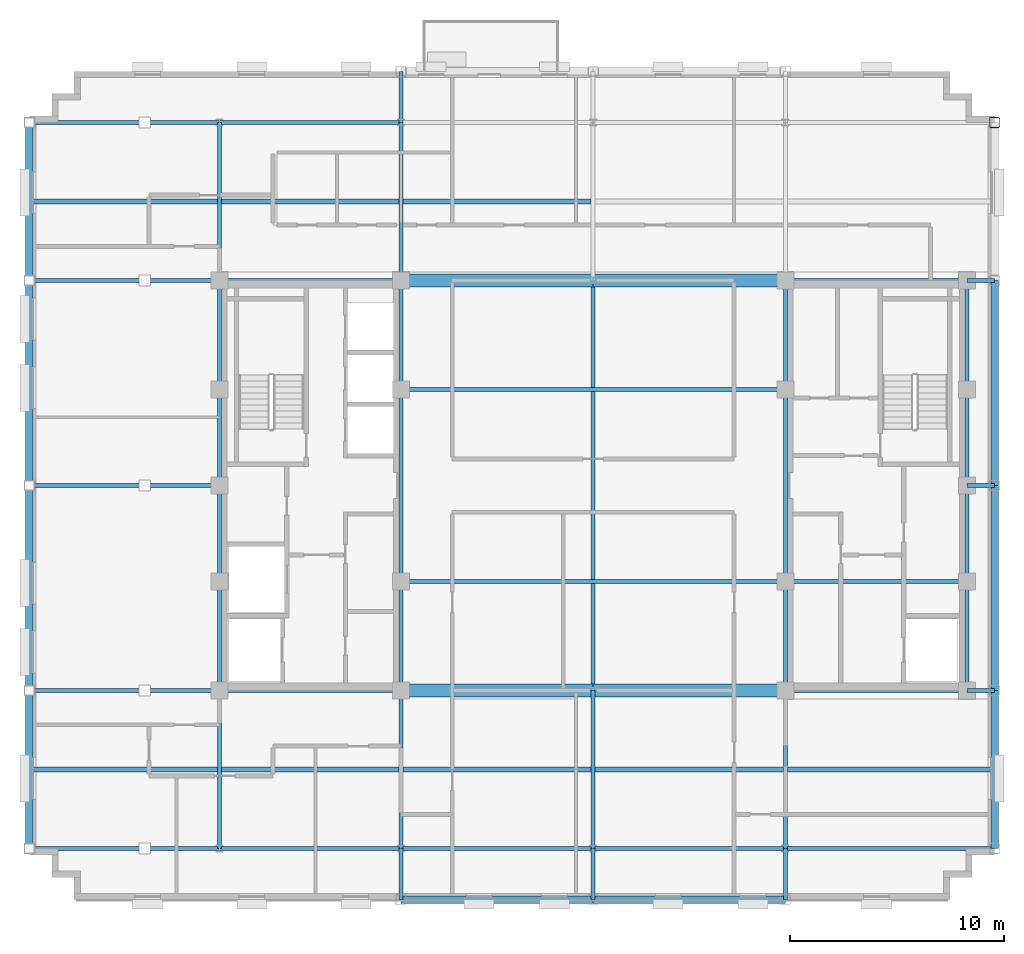
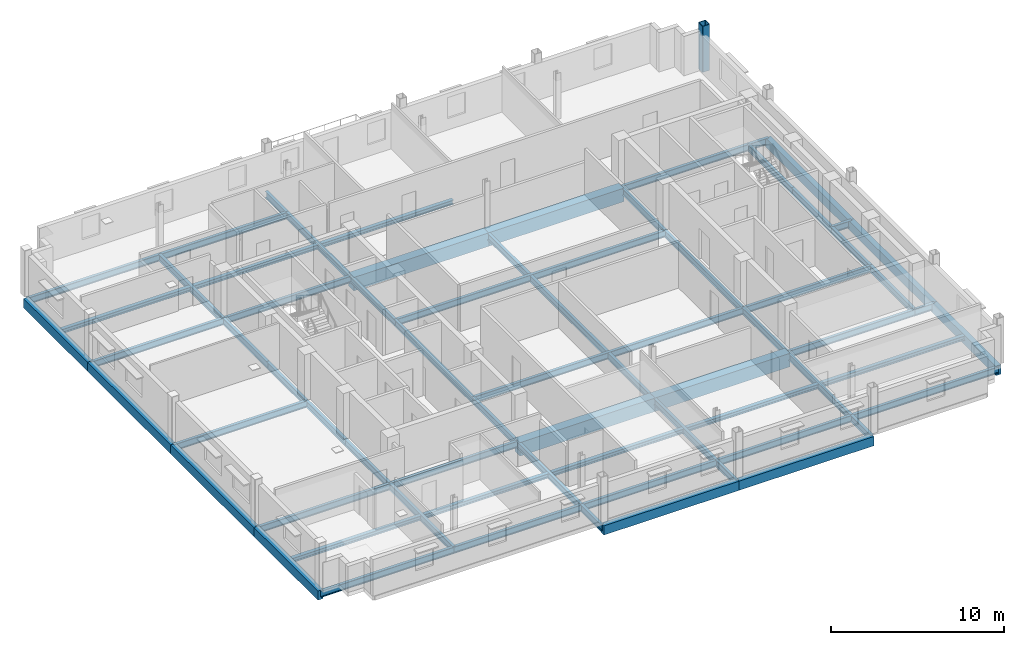
# One storey, part 4 of 14: 66 beams, 1 column.
"""IFC4 building model written with IfcOpenShell, lengths in metres."""

from ifc_helpers import new_model, si_unit, direction, frame, origin, origin_2d, place, context, subcontext, project, spatial, rectangle, hollow_rectangle, i_section, extrude, material, material_profile, profile_set, type_object, element, save


model = new_model("IFC4")

# Units and contexts
model_context = context("Model", 3, precision=1e-05, world=origin(), true_north=direction((0.0, 1.0)))
body_context = subcontext(model_context, "Body", "Model", "MODEL_VIEW")
ifc_project = project(units=[si_unit("LENGTHUNIT", "METRE"), si_unit("AREAUNIT", "SQUARE_METRE"), si_unit("VOLUMEUNIT", "CUBIC_METRE"), si_unit("PLANEANGLEUNIT", "RADIAN"), si_unit("MASSUNIT", "GRAM", prefix="KILO")], contexts=[model_context])

# Site, building, storey
site_placement = place(None, origin())
site = spatial("IfcSite", under=ifc_project, at=site_placement, CompositionType="ELEMENT")
building_placement = place(site_placement, origin())
building = spatial("IfcBuilding", under=site, at=building_placement, Name="Nuvemarco Arch Tower", CompositionType="ELEMENT")
storey_placement = place(building_placement, frame((0.0, 0.0, 242.0)))
storey = spatial("IfcBuildingStorey", under=building, at=storey_placement, Name="L64", CompositionType="ELEMENT", Elevation=242.0)

# Column
ifc_material_1 = material(Name="Steel S355", Category="steel")
ifc_material_profile_1 = material_profile(ifc_material_1, hollow_rectangle(XDim=0.5, YDim=0.5, WallThickness=0.031982421875, InnerFilletRadius=0.031982421875, OuterFilletRadius=0.06396484375, at=origin_2d()), Name="SHS500x500x32")
ifc_profile_set_1 = profile_set([ifc_material_profile_1], Name="Steel S355")
column_type = type_object("IfcColumnType", Name="COL-EXO-500", PredefinedType="COLUMN", material=ifc_profile_set_1)
column_placement = place(storey_placement, frame((18.800048828125, 17.0, 0.0), z_axis=(0.0, 0.0, 1.0), x_axis=(1.0, 0.0, 0.0)))
element("IfcColumn", 1, at=column_placement, inside=storey, type_object=column_type, Name="L64 column CX_+18.8_+17.0", PredefinedType="COLUMN", context=body_context, shape_type="SweptSolid", body=[
    extrude(hollow_rectangle(XDim=0.5, YDim=0.5, WallThickness=0.031982421875, InnerFilletRadius=0.031982421875, OuterFilletRadius=0.06396484375, at=origin_2d()), origin(), (0.0, 0.0, 1.0), 3.25),
])

# Beams
ifc_material_2 = material(Name="Concrete C60/75", Category="concrete")
ifc_material_profile_2 = material_profile(ifc_material_2, rectangle(XDim=0.60009765625, YDim=0.949951171875, at=origin_2d()), Name="RC-BM-600x950")
ifc_profile_set_2 = profile_set([ifc_material_profile_2], Name="Concrete C60/75")
beam_type_1 = type_object("IfcBeamType", Name="BM-COUP-RC", PredefinedType="LINTEL", material=ifc_profile_set_2)
for number, where, z_axis, x_axis, name in (
    (2, (-9.0, -9.60009765625, -0.7548828125), (1.0, 0.0, 0.0), (0.0, 1.0, 0.0), "L64 structural beam BGEW_L64_0_-9.6_-9.0"),
    (3, (0.0, -9.60009765625, -0.7548828125), (1.0, 0.0, 0.0), (0.0, 1.0, 0.0), "L64 structural beam BGEW_L64_0_-9.6_+0.0"),
    (4, (-9.0, 9.60009765625, -0.7548828125), (1.0, 0.0, 0.0), (0.0, 1.0, 0.0), "L64 structural beam BGEW_L64_0_+9.6_-9.0"),
    (5, (0.0, 9.60009765625, -0.7548828125), (1.0, 0.0, 0.0), (0.0, 1.0, 0.0), "L64 structural beam BGEW_L64_0_+9.6_+0.0"),
):
    element("IfcBeam", number, at=place(storey_placement, frame(where, z_axis=z_axis, x_axis=x_axis)), inside=storey, type_object=beam_type_1, Name=name, PredefinedType="LINTEL", context=body_context, shape_type="SweptSolid", body=[
        extrude(rectangle(XDim=0.60009765625, YDim=0.949951171875, at=origin_2d()), origin(), (0.0, 0.0, 1.0), 9.0),
    ])
ifc_material_profile_3 = material_profile(ifc_material_1, i_section(OverallWidth=0.19189453125, OverallDepth=0.462890625, WebThickness=0.010498046875, FlangeThickness=0.017578125, FilletRadius=0.014892578125, at=origin_2d()), Name="W460x89")
ifc_profile_set_3 = profile_set([ifc_material_profile_3], Name="Steel S355")
beam_type_2 = type_object("IfcBeamType", Name="BM-GIRD-460", PredefinedType="BEAM", material=ifc_profile_set_3)
beam_1_placement = place(storey_placement, frame((-17.5, -17.0, -0.511474609375), z_axis=(0.0, 1.0, 0.0), x_axis=(-1.0, 0.0, 0.0)))
element("IfcBeam", 6, at=beam_1_placement, inside=storey, type_object=beam_type_2, Name="L64 structural beam BGNS_L64_0_-17.5_-17.0", PredefinedType="BEAM", context=body_context, shape_type="SweptSolid", body=[
    extrude(i_section(OverallWidth=0.19189453125, OverallDepth=0.462890625, WebThickness=0.010498046875, FlangeThickness=0.017578125, FilletRadius=0.014892578125, at=origin_2d()), origin(), (0.0, 0.0, 1.0), 7.39990234375),
])
beam_2_placement = place(storey_placement, frame((-17.5, -9.60009765625, -0.511474609375), z_axis=(0.0, 1.0, 0.0), x_axis=(-1.0, 0.0, 0.0)))
element("IfcBeam", 7, at=beam_2_placement, inside=storey, type_object=beam_type_2, Name="L64 structural beam BGNS_L64_0_-17.5_-9.6", PredefinedType="BEAM", context=body_context, shape_type="SweptSolid", body=[
    extrude(i_section(OverallWidth=0.19189453125, OverallDepth=0.462890625, WebThickness=0.010498046875, FlangeThickness=0.017578125, FilletRadius=0.014892578125, at=origin_2d()), origin(), (0.0, 0.0, 1.0), 5.10009765625),
])
for number, where, z_axis, x_axis, name in (
    (8, (-17.5, -4.5, -0.511474609375), (0.0, 1.0, 0.0), (-1.0, 0.0, 0.0), "L64 structural beam BGNS_L64_0_-17.5_-4.5"),
    (9, (-17.5, 0.0, -0.511474609375), (0.0, 1.0, 0.0), (-1.0, 0.0, 0.0), "L64 structural beam BGNS_L64_0_-17.5_+0.0"),
):
    element("IfcBeam", number, at=place(storey_placement, frame(where, z_axis=z_axis, x_axis=x_axis)), inside=storey, type_object=beam_type_2, Name=name, PredefinedType="BEAM", context=body_context, shape_type="SweptSolid", body=[
        extrude(i_section(OverallWidth=0.19189453125, OverallDepth=0.462890625, WebThickness=0.010498046875, FlangeThickness=0.017578125, FilletRadius=0.014892578125, at=origin_2d()), origin(), (0.0, 0.0, 1.0), 4.5),
    ])
beam_3_placement = place(storey_placement, frame((-17.5, 4.5, -0.511474609375), z_axis=(0.0, 1.0, 0.0), x_axis=(-1.0, 0.0, 0.0)))
element("IfcBeam", 10, at=beam_3_placement, inside=storey, type_object=beam_type_2, Name="L64 structural beam BGNS_L64_0_-17.5_+4.5", PredefinedType="BEAM", context=body_context, shape_type="SweptSolid", body=[
    extrude(i_section(OverallWidth=0.19189453125, OverallDepth=0.462890625, WebThickness=0.010498046875, FlangeThickness=0.017578125, FilletRadius=0.014892578125, at=origin_2d()), origin(), (0.0, 0.0, 1.0), 5.10009765625),
])
beam_4_placement = place(storey_placement, frame((-17.5, 9.60009765625, -0.511474609375), z_axis=(0.0, 1.0, 0.0), x_axis=(-1.0, 0.0, 0.0)))
element("IfcBeam", 11, at=beam_4_placement, inside=storey, type_object=beam_type_2, Name="L64 structural beam BGNS_L64_0_-17.5_+9.6", PredefinedType="BEAM", context=body_context, shape_type="SweptSolid", body=[
    extrude(i_section(OverallWidth=0.19189453125, OverallDepth=0.462890625, WebThickness=0.010498046875, FlangeThickness=0.017578125, FilletRadius=0.014892578125, at=origin_2d()), origin(), (0.0, 0.0, 1.0), 7.39990234375),
])
beam_5_placement = place(storey_placement, frame((-9.0, -19.39990234375, -0.511474609375), z_axis=(0.0, 1.0, 0.0), x_axis=(-1.0, 0.0, 0.0)))
element("IfcBeam", 12, at=beam_5_placement, inside=storey, type_object=beam_type_2, Name="L64 structural beam BGNS_L64_0_-9.0_-19.4", PredefinedType="BEAM", context=body_context, shape_type="SweptSolid", body=[
    extrude(i_section(OverallWidth=0.19189453125, OverallDepth=0.462890625, WebThickness=0.010498046875, FlangeThickness=0.017578125, FilletRadius=0.014892578125, at=origin_2d()), origin(), (0.0, 0.0, 1.0), 2.39990234375),
])
beam_6_placement = place(storey_placement, frame((-9.0, -17.0, -0.511474609375), z_axis=(0.0, 1.0, 0.0), x_axis=(-1.0, 0.0, 0.0)))
element("IfcBeam", 13, at=beam_6_placement, inside=storey, type_object=beam_type_2, Name="L64 structural beam BGNS_L64_0_-9.0_-17.0", PredefinedType="BEAM", context=body_context, shape_type="SweptSolid", body=[
    extrude(i_section(OverallWidth=0.19189453125, OverallDepth=0.462890625, WebThickness=0.010498046875, FlangeThickness=0.017578125, FilletRadius=0.014892578125, at=origin_2d()), origin(), (0.0, 0.0, 1.0), 7.39990234375),
])
beam_7_placement = place(storey_placement, frame((-9.0, -9.60009765625, -0.511474609375), z_axis=(0.0, 1.0, 0.0), x_axis=(-1.0, 0.0, 0.0)))
element("IfcBeam", 14, at=beam_7_placement, inside=storey, type_object=beam_type_2, Name="L64 structural beam BGNS_L64_0_-9.0_-9.6", PredefinedType="BEAM", context=body_context, shape_type="SweptSolid", body=[
    extrude(i_section(OverallWidth=0.19189453125, OverallDepth=0.462890625, WebThickness=0.010498046875, FlangeThickness=0.017578125, FilletRadius=0.014892578125, at=origin_2d()), origin(), (0.0, 0.0, 1.0), 5.10009765625),
])
beam_8_placement = place(storey_placement, frame((-9.0, -4.5, -0.511474609375), z_axis=(0.0, 1.0, 0.0), x_axis=(-1.0, 0.0, 0.0)))
element("IfcBeam", 15, at=beam_8_placement, inside=storey, type_object=beam_type_2, Name="L64 structural beam BGNS_L64_0_-9.0_-4.5", PredefinedType="BEAM", context=body_context, shape_type="SweptSolid", body=[
    extrude(i_section(OverallWidth=0.19189453125, OverallDepth=0.462890625, WebThickness=0.010498046875, FlangeThickness=0.017578125, FilletRadius=0.014892578125, at=origin_2d()), origin(), (0.0, 0.0, 1.0), 9.0),
])
beam_9_placement = place(storey_placement, frame((-9.0, 4.5, -0.511474609375), z_axis=(0.0, 1.0, 0.0), x_axis=(-1.0, 0.0, 0.0)))
element("IfcBeam", 16, at=beam_9_placement, inside=storey, type_object=beam_type_2, Name="L64 structural beam BGNS_L64_0_-9.0_+4.5", PredefinedType="BEAM", context=body_context, shape_type="SweptSolid", body=[
    extrude(i_section(OverallWidth=0.19189453125, OverallDepth=0.462890625, WebThickness=0.010498046875, FlangeThickness=0.017578125, FilletRadius=0.014892578125, at=origin_2d()), origin(), (0.0, 0.0, 1.0), 5.10009765625),
])
beam_10_placement = place(storey_placement, frame((-9.0, 9.60009765625, -0.511474609375), z_axis=(0.0, 1.0, 0.0), x_axis=(-1.0, 0.0, 0.0)))
element("IfcBeam", 17, at=beam_10_placement, inside=storey, type_object=beam_type_2, Name="L64 structural beam BGNS_L64_0_-9.0_+9.6", PredefinedType="BEAM", context=body_context, shape_type="SweptSolid", body=[
    extrude(i_section(OverallWidth=0.19189453125, OverallDepth=0.462890625, WebThickness=0.010498046875, FlangeThickness=0.017578125, FilletRadius=0.014892578125, at=origin_2d()), origin(), (0.0, 0.0, 1.0), 7.39990234375),
])
for number, where, z_axis, x_axis, name in (
    (18, (-9.0, 17.0, -0.511474609375), (0.0, 1.0, 0.0), (-1.0, 0.0, 0.0), "L64 structural beam BGNS_L64_0_-9.0_+17.0"),
    (19, (0.0, -19.39990234375, -0.511474609375), (0.0, 1.0, 0.0), (-1.0, 0.0, 0.0), "L64 structural beam BGNS_L64_0_+0.0_-19.4"),
):
    element("IfcBeam", number, at=place(storey_placement, frame(where, z_axis=z_axis, x_axis=x_axis)), inside=storey, type_object=beam_type_2, Name=name, PredefinedType="BEAM", context=body_context, shape_type="SweptSolid", body=[
        extrude(i_section(OverallWidth=0.19189453125, OverallDepth=0.462890625, WebThickness=0.010498046875, FlangeThickness=0.017578125, FilletRadius=0.014892578125, at=origin_2d()), origin(), (0.0, 0.0, 1.0), 2.39990234375),
    ])
beam_11_placement = place(storey_placement, frame((0.0, -17.0, -0.511474609375), z_axis=(0.0, 1.0, 0.0), x_axis=(-1.0, 0.0, 0.0)))
element("IfcBeam", 20, at=beam_11_placement, inside=storey, type_object=beam_type_2, Name="L64 structural beam BGNS_L64_0_+0.0_-17.0", PredefinedType="BEAM", context=body_context, shape_type="SweptSolid", body=[
    extrude(i_section(OverallWidth=0.19189453125, OverallDepth=0.462890625, WebThickness=0.010498046875, FlangeThickness=0.017578125, FilletRadius=0.014892578125, at=origin_2d()), origin(), (0.0, 0.0, 1.0), 7.39990234375),
])
beam_12_placement = place(storey_placement, frame((0.0, -9.60009765625, -0.511474609375), z_axis=(0.0, 1.0, 0.0), x_axis=(-1.0, 0.0, 0.0)))
element("IfcBeam", 21, at=beam_12_placement, inside=storey, type_object=beam_type_2, Name="L64 structural beam BGNS_L64_0_+0.0_-9.6", PredefinedType="BEAM", context=body_context, shape_type="SweptSolid", body=[
    extrude(i_section(OverallWidth=0.19189453125, OverallDepth=0.462890625, WebThickness=0.010498046875, FlangeThickness=0.017578125, FilletRadius=0.014892578125, at=origin_2d()), origin(), (0.0, 0.0, 1.0), 19.2001953125),
])
beam_13_placement = place(storey_placement, frame((9.0, -19.39990234375, -0.511474609375), z_axis=(0.0, 1.0, 0.0), x_axis=(-1.0, 0.0, 0.0)))
element("IfcBeam", 22, at=beam_13_placement, inside=storey, type_object=beam_type_2, Name="L64 structural beam BGNS_L64_0_+9.0_-19.4", PredefinedType="BEAM", context=body_context, shape_type="SweptSolid", body=[
    extrude(i_section(OverallWidth=0.19189453125, OverallDepth=0.462890625, WebThickness=0.010498046875, FlangeThickness=0.017578125, FilletRadius=0.014892578125, at=origin_2d()), origin(), (0.0, 0.0, 1.0), 2.39990234375),
])
beam_14_placement = place(storey_placement, frame((9.0, -17.0, -0.511474609375), z_axis=(0.0, 1.0, 0.0), x_axis=(-1.0, 0.0, 0.0)))
element("IfcBeam", 23, at=beam_14_placement, inside=storey, type_object=beam_type_2, Name="L64 structural beam BGNS_L64_0_+9.0_-17.0", PredefinedType="BEAM", context=body_context, shape_type="SweptSolid", body=[
    extrude(i_section(OverallWidth=0.19189453125, OverallDepth=0.462890625, WebThickness=0.010498046875, FlangeThickness=0.017578125, FilletRadius=0.014892578125, at=origin_2d()), origin(), (0.0, 0.0, 1.0), 7.39990234375),
])
beam_15_placement = place(storey_placement, frame((9.0, -9.60009765625, -0.511474609375), z_axis=(0.0, 1.0, 0.0), x_axis=(-1.0, 0.0, 0.0)))
element("IfcBeam", 24, at=beam_15_placement, inside=storey, type_object=beam_type_2, Name="L64 structural beam BGNS_L64_0_+9.0_-9.6", PredefinedType="BEAM", context=body_context, shape_type="SweptSolid", body=[
    extrude(i_section(OverallWidth=0.19189453125, OverallDepth=0.462890625, WebThickness=0.010498046875, FlangeThickness=0.017578125, FilletRadius=0.014892578125, at=origin_2d()), origin(), (0.0, 0.0, 1.0), 5.10009765625),
])
beam_16_placement = place(storey_placement, frame((9.0, -4.5, -0.511474609375), z_axis=(0.0, 1.0, 0.0), x_axis=(-1.0, 0.0, 0.0)))
element("IfcBeam", 25, at=beam_16_placement, inside=storey, type_object=beam_type_2, Name="L64 structural beam BGNS_L64_0_+9.0_-4.5", PredefinedType="BEAM", context=body_context, shape_type="SweptSolid", body=[
    extrude(i_section(OverallWidth=0.19189453125, OverallDepth=0.462890625, WebThickness=0.010498046875, FlangeThickness=0.017578125, FilletRadius=0.014892578125, at=origin_2d()), origin(), (0.0, 0.0, 1.0), 9.0),
])
for number, where, z_axis, x_axis, name in (
    (26, (9.0, 4.5, -0.511474609375), (0.0, 1.0, 0.0), (-1.0, 0.0, 0.0), "L64 structural beam BGNS_L64_0_+9.0_+4.5"),
    (27, (17.5, -9.60009765625, -0.511474609375), (0.0, 1.0, 0.0), (-1.0, 0.0, 0.0), "L64 structural beam BGNS_L64_0_+17.5_-9.6"),
):
    element("IfcBeam", number, at=place(storey_placement, frame(where, z_axis=z_axis, x_axis=x_axis)), inside=storey, type_object=beam_type_2, Name=name, PredefinedType="BEAM", context=body_context, shape_type="SweptSolid", body=[
        extrude(i_section(OverallWidth=0.19189453125, OverallDepth=0.462890625, WebThickness=0.010498046875, FlangeThickness=0.017578125, FilletRadius=0.014892578125, at=origin_2d()), origin(), (0.0, 0.0, 1.0), 5.10009765625),
    ])
for number, where, z_axis, x_axis, name in (
    (28, (17.5, -4.5, -0.511474609375), (0.0, 1.0, 0.0), (-1.0, 0.0, 0.0), "L64 structural beam BGNS_L64_0_+17.5_-4.5"),
    (29, (17.5, 0.0, -0.511474609375), (0.0, 1.0, 0.0), (-1.0, 0.0, 0.0), "L64 structural beam BGNS_L64_0_+17.5_+0.0"),
):
    element("IfcBeam", number, at=place(storey_placement, frame(where, z_axis=z_axis, x_axis=x_axis)), inside=storey, type_object=beam_type_2, Name=name, PredefinedType="BEAM", context=body_context, shape_type="SweptSolid", body=[
        extrude(i_section(OverallWidth=0.19189453125, OverallDepth=0.462890625, WebThickness=0.010498046875, FlangeThickness=0.017578125, FilletRadius=0.014892578125, at=origin_2d()), origin(), (0.0, 0.0, 1.0), 4.5),
    ])
beam_17_placement = place(storey_placement, frame((17.5, 4.5, -0.511474609375), z_axis=(0.0, 1.0, 0.0), x_axis=(-1.0, 0.0, 0.0)))
element("IfcBeam", 30, at=beam_17_placement, inside=storey, type_object=beam_type_2, Name="L64 structural beam BGNS_L64_0_+17.5_+4.5", PredefinedType="BEAM", context=body_context, shape_type="SweptSolid", body=[
    extrude(i_section(OverallWidth=0.19189453125, OverallDepth=0.462890625, WebThickness=0.010498046875, FlangeThickness=0.017578125, FilletRadius=0.014892578125, at=origin_2d()), origin(), (0.0, 0.0, 1.0), 5.10009765625),
])
beam_18_placement = place(storey_placement, frame((-26.39990234375, -17.0, -0.511474609375), z_axis=(1.0, 0.0, 0.0), x_axis=(0.0, 1.0, 0.0)))
element("IfcBeam", 31, at=beam_18_placement, inside=storey, type_object=beam_type_2, Name="L64 structural beam BGEW_L64_0_-17.0_-26.4", PredefinedType="BEAM", context=body_context, shape_type="SweptSolid", body=[
    extrude(i_section(OverallWidth=0.19189453125, OverallDepth=0.462890625, WebThickness=0.010498046875, FlangeThickness=0.017578125, FilletRadius=0.014892578125, at=origin_2d()), origin(), (0.0, 0.0, 1.0), 8.89990234375),
])
beam_19_placement = place(storey_placement, frame((-17.5, -17.0, -0.511474609375), z_axis=(1.0, 0.0, 0.0), x_axis=(0.0, 1.0, 0.0)))
element("IfcBeam", 32, at=beam_19_placement, inside=storey, type_object=beam_type_2, Name="L64 structural beam BGEW_L64_0_-17.0_-17.5", PredefinedType="BEAM", context=body_context, shape_type="SweptSolid", body=[
    extrude(i_section(OverallWidth=0.19189453125, OverallDepth=0.462890625, WebThickness=0.010498046875, FlangeThickness=0.017578125, FilletRadius=0.014892578125, at=origin_2d()), origin(), (0.0, 0.0, 1.0), 8.5),
])
for number, where, z_axis, x_axis, name in (
    (33, (-9.0, -17.0, -0.511474609375), (1.0, 0.0, 0.0), (0.0, 1.0, 0.0), "L64 structural beam BGEW_L64_0_-17.0_-9.0"),
    (34, (0.0, -17.0, -0.511474609375), (1.0, 0.0, 0.0), (0.0, 1.0, 0.0), "L64 structural beam BGEW_L64_0_-17.0_+0.0"),
):
    element("IfcBeam", number, at=place(storey_placement, frame(where, z_axis=z_axis, x_axis=x_axis)), inside=storey, type_object=beam_type_2, Name=name, PredefinedType="BEAM", context=body_context, shape_type="SweptSolid", body=[
        extrude(i_section(OverallWidth=0.19189453125, OverallDepth=0.462890625, WebThickness=0.010498046875, FlangeThickness=0.017578125, FilletRadius=0.014892578125, at=origin_2d()), origin(), (0.0, 0.0, 1.0), 9.0),
    ])
beam_20_placement = place(storey_placement, frame((9.0, -17.0, -0.511474609375), z_axis=(1.0, 0.0, 0.0), x_axis=(0.0, 1.0, 0.0)))
element("IfcBeam", 35, at=beam_20_placement, inside=storey, type_object=beam_type_2, Name="L64 structural beam BGEW_L64_0_-17.0_+9.0", PredefinedType="BEAM", context=body_context, shape_type="SweptSolid", body=[
    extrude(i_section(OverallWidth=0.19189453125, OverallDepth=0.462890625, WebThickness=0.010498046875, FlangeThickness=0.017578125, FilletRadius=0.014892578125, at=origin_2d()), origin(), (0.0, 0.0, 1.0), 9.800048828125),
])
beam_21_placement = place(storey_placement, frame((-26.39990234375, -9.60009765625, -0.511474609375), z_axis=(1.0, 0.0, 0.0), x_axis=(0.0, 1.0, 0.0)))
element("IfcBeam", 36, at=beam_21_placement, inside=storey, type_object=beam_type_2, Name="L64 structural beam BGEW_L64_0_-9.6_-26.4", PredefinedType="BEAM", context=body_context, shape_type="SweptSolid", body=[
    extrude(i_section(OverallWidth=0.19189453125, OverallDepth=0.462890625, WebThickness=0.010498046875, FlangeThickness=0.017578125, FilletRadius=0.014892578125, at=origin_2d()), origin(), (0.0, 0.0, 1.0), 8.89990234375),
])
for number, where, z_axis, x_axis, name in (
    (37, (-17.5, -9.60009765625, -0.511474609375), (1.0, 0.0, 0.0), (0.0, 1.0, 0.0), "L64 structural beam BGEW_L64_0_-9.6_-17.5"),
    (38, (9.0, -9.60009765625, -0.511474609375), (1.0, 0.0, 0.0), (0.0, 1.0, 0.0), "L64 structural beam BGEW_L64_0_-9.6_+9.0"),
):
    element("IfcBeam", number, at=place(storey_placement, frame(where, z_axis=z_axis, x_axis=x_axis)), inside=storey, type_object=beam_type_2, Name=name, PredefinedType="BEAM", context=body_context, shape_type="SweptSolid", body=[
        extrude(i_section(OverallWidth=0.19189453125, OverallDepth=0.462890625, WebThickness=0.010498046875, FlangeThickness=0.017578125, FilletRadius=0.014892578125, at=origin_2d()), origin(), (0.0, 0.0, 1.0), 8.5),
    ])
beam_22_placement = place(storey_placement, frame((17.5, -9.60009765625, -0.511474609375), z_axis=(1.0, 0.0, 0.0), x_axis=(0.0, 1.0, 0.0)))
element("IfcBeam", 39, at=beam_22_placement, inside=storey, type_object=beam_type_2, Name="L64 structural beam BGEW_L64_0_-9.6_+17.5", PredefinedType="BEAM", context=body_context, shape_type="SweptSolid", body=[
    extrude(i_section(OverallWidth=0.19189453125, OverallDepth=0.462890625, WebThickness=0.010498046875, FlangeThickness=0.017578125, FilletRadius=0.014892578125, at=origin_2d()), origin(), (0.0, 0.0, 1.0), 1.300048828125),
])
beam_23_placement = place(storey_placement, frame((-9.0, -4.5, -0.511474609375), z_axis=(1.0, 0.0, 0.0), x_axis=(0.0, 1.0, 0.0)))
element("IfcBeam", 40, at=beam_23_placement, inside=storey, type_object=beam_type_2, Name="L64 structural beam BGEW_L64_0_-4.5_-9.0", PredefinedType="BEAM", context=body_context, shape_type="SweptSolid", body=[
    extrude(i_section(OverallWidth=0.19189453125, OverallDepth=0.462890625, WebThickness=0.010498046875, FlangeThickness=0.017578125, FilletRadius=0.014892578125, at=origin_2d()), origin(), (0.0, 0.0, 1.0), 18.0),
])
beam_24_placement = place(storey_placement, frame((9.0, -4.5, -0.511474609375), z_axis=(1.0, 0.0, 0.0), x_axis=(0.0, 1.0, 0.0)))
element("IfcBeam", 41, at=beam_24_placement, inside=storey, type_object=beam_type_2, Name="L64 structural beam BGEW_L64_0_-4.5_+9.0", PredefinedType="BEAM", context=body_context, shape_type="SweptSolid", body=[
    extrude(i_section(OverallWidth=0.19189453125, OverallDepth=0.462890625, WebThickness=0.010498046875, FlangeThickness=0.017578125, FilletRadius=0.014892578125, at=origin_2d()), origin(), (0.0, 0.0, 1.0), 8.5),
])
beam_25_placement = place(storey_placement, frame((-26.39990234375, 0.0, -0.511474609375), z_axis=(1.0, 0.0, 0.0), x_axis=(0.0, 1.0, 0.0)))
element("IfcBeam", 42, at=beam_25_placement, inside=storey, type_object=beam_type_2, Name="L64 structural beam BGEW_L64_0_+0.0_-26.4", PredefinedType="BEAM", context=body_context, shape_type="SweptSolid", body=[
    extrude(i_section(OverallWidth=0.19189453125, OverallDepth=0.462890625, WebThickness=0.010498046875, FlangeThickness=0.017578125, FilletRadius=0.014892578125, at=origin_2d()), origin(), (0.0, 0.0, 1.0), 8.89990234375),
])
beam_26_placement = place(storey_placement, frame((17.5, 0.0, -0.511474609375), z_axis=(1.0, 0.0, 0.0), x_axis=(0.0, 1.0, 0.0)))
element("IfcBeam", 43, at=beam_26_placement, inside=storey, type_object=beam_type_2, Name="L64 structural beam BGEW_L64_0_+0.0_+17.5", PredefinedType="BEAM", context=body_context, shape_type="SweptSolid", body=[
    extrude(i_section(OverallWidth=0.19189453125, OverallDepth=0.462890625, WebThickness=0.010498046875, FlangeThickness=0.017578125, FilletRadius=0.014892578125, at=origin_2d()), origin(), (0.0, 0.0, 1.0), 1.300048828125),
])
beam_27_placement = place(storey_placement, frame((-9.0, 4.5, -0.511474609375), z_axis=(1.0, 0.0, 0.0), x_axis=(0.0, 1.0, 0.0)))
element("IfcBeam", 44, at=beam_27_placement, inside=storey, type_object=beam_type_2, Name="L64 structural beam BGEW_L64_0_+4.5_-9.0", PredefinedType="BEAM", context=body_context, shape_type="SweptSolid", body=[
    extrude(i_section(OverallWidth=0.19189453125, OverallDepth=0.462890625, WebThickness=0.010498046875, FlangeThickness=0.017578125, FilletRadius=0.014892578125, at=origin_2d()), origin(), (0.0, 0.0, 1.0), 18.0),
])
beam_28_placement = place(storey_placement, frame((-26.39990234375, 9.60009765625, -0.511474609375), z_axis=(1.0, 0.0, 0.0), x_axis=(0.0, 1.0, 0.0)))
element("IfcBeam", 45, at=beam_28_placement, inside=storey, type_object=beam_type_2, Name="L64 structural beam BGEW_L64_0_+9.6_-26.4", PredefinedType="BEAM", context=body_context, shape_type="SweptSolid", body=[
    extrude(i_section(OverallWidth=0.19189453125, OverallDepth=0.462890625, WebThickness=0.010498046875, FlangeThickness=0.017578125, FilletRadius=0.014892578125, at=origin_2d()), origin(), (0.0, 0.0, 1.0), 8.89990234375),
])
for number, where, z_axis, x_axis, name in (
    (46, (-17.5, 9.60009765625, -0.511474609375), (1.0, 0.0, 0.0), (0.0, 1.0, 0.0), "L64 structural beam BGEW_L64_0_+9.6_-17.5"),
    (47, (9.0, 9.60009765625, -0.511474609375), (1.0, 0.0, 0.0), (0.0, 1.0, 0.0), "L64 structural beam BGEW_L64_0_+9.6_+9.0"),
):
    element("IfcBeam", number, at=place(storey_placement, frame(where, z_axis=z_axis, x_axis=x_axis)), inside=storey, type_object=beam_type_2, Name=name, PredefinedType="BEAM", context=body_context, shape_type="SweptSolid", body=[
        extrude(i_section(OverallWidth=0.19189453125, OverallDepth=0.462890625, WebThickness=0.010498046875, FlangeThickness=0.017578125, FilletRadius=0.014892578125, at=origin_2d()), origin(), (0.0, 0.0, 1.0), 8.5),
    ])
beam_29_placement = place(storey_placement, frame((17.5, 9.60009765625, -0.511474609375), z_axis=(1.0, 0.0, 0.0), x_axis=(0.0, 1.0, 0.0)))
element("IfcBeam", 48, at=beam_29_placement, inside=storey, type_object=beam_type_2, Name="L64 structural beam BGEW_L64_0_+9.6_+17.5", PredefinedType="BEAM", context=body_context, shape_type="SweptSolid", body=[
    extrude(i_section(OverallWidth=0.19189453125, OverallDepth=0.462890625, WebThickness=0.010498046875, FlangeThickness=0.017578125, FilletRadius=0.014892578125, at=origin_2d()), origin(), (0.0, 0.0, 1.0), 1.300048828125),
])
beam_30_placement = place(storey_placement, frame((-26.39990234375, 17.0, -0.511474609375), z_axis=(1.0, 0.0, 0.0), x_axis=(0.0, 1.0, 0.0)))
element("IfcBeam", 49, at=beam_30_placement, inside=storey, type_object=beam_type_2, Name="L64 structural beam BGEW_L64_0_+17.0_-26.4", PredefinedType="BEAM", context=body_context, shape_type="SweptSolid", body=[
    extrude(i_section(OverallWidth=0.19189453125, OverallDepth=0.462890625, WebThickness=0.010498046875, FlangeThickness=0.017578125, FilletRadius=0.014892578125, at=origin_2d()), origin(), (0.0, 0.0, 1.0), 8.89990234375),
])
beam_31_placement = place(storey_placement, frame((-17.5, 17.0, -0.511474609375), z_axis=(1.0, 0.0, 0.0), x_axis=(0.0, 1.0, 0.0)))
element("IfcBeam", 50, at=beam_31_placement, inside=storey, type_object=beam_type_2, Name="L64 structural beam BGEW_L64_0_+17.0_-17.5", PredefinedType="BEAM", context=body_context, shape_type="SweptSolid", body=[
    extrude(i_section(OverallWidth=0.19189453125, OverallDepth=0.462890625, WebThickness=0.010498046875, FlangeThickness=0.017578125, FilletRadius=0.014892578125, at=origin_2d()), origin(), (0.0, 0.0, 1.0), 8.5),
])
ifc_material_profile_4 = material_profile(ifc_material_1, i_section(OverallWidth=0.25390625, OverallDepth=0.305908203125, WebThickness=0.0087890625, FlangeThickness=0.0146484375, FilletRadius=0.014892578125, at=origin_2d()), Name="W310x79")
ifc_profile_set_4 = profile_set([ifc_material_profile_4], Name="Steel S355")
beam_type_3 = type_object("IfcBeamType", Name="BM-JOIST-310H", PredefinedType="JOIST", material=ifc_profile_set_4)
beam_32_placement = place(storey_placement, frame((-26.22509765625, -13.300048828125, -0.43310546875), z_axis=(1.0, 0.0, 0.0), x_axis=(0.0, 1.0, 0.0)))
element("IfcBeam", 51, at=beam_32_placement, inside=storey, type_object=beam_type_3, Name="L64 structural beam BJ_L64_0_-13.3_-26.4", PredefinedType="JOIST", context=body_context, shape_type="SweptSolid", body=[
    extrude(i_section(OverallWidth=0.25390625, OverallDepth=0.305908203125, WebThickness=0.0087890625, FlangeThickness=0.0146484375, FilletRadius=0.014892578125, at=origin_2d()), origin(), (0.0, 0.0, 1.0), 8.629150390625),
])
beam_33_placement = place(storey_placement, frame((-17.404052734375, -13.300048828125, -0.43310546875), z_axis=(1.0, 0.0, 0.0), x_axis=(0.0, 1.0, 0.0)))
element("IfcBeam", 52, at=beam_33_placement, inside=storey, type_object=beam_type_3, Name="L64 structural beam BJ_L64_0_-13.3_-17.5", PredefinedType="JOIST", context=body_context, shape_type="SweptSolid", body=[
    extrude(i_section(OverallWidth=0.25390625, OverallDepth=0.305908203125, WebThickness=0.0087890625, FlangeThickness=0.0146484375, FilletRadius=0.014892578125, at=origin_2d()), origin(), (0.0, 0.0, 1.0), 8.30810546875),
])
for number, where, z_axis, x_axis, name in (
    (53, (-8.904052734375, -13.300048828125, -0.43310546875), (1.0, 0.0, 0.0), (0.0, 1.0, 0.0), "L64 structural beam BJ_L64_0_-13.3_-9.0"),
    (54, (0.095947265625, -13.300048828125, -0.43310546875), (1.0, 0.0, 0.0), (0.0, 1.0, 0.0), "L64 structural beam BJ_L64_0_-13.3_+0.0"),
):
    element("IfcBeam", number, at=place(storey_placement, frame(where, z_axis=z_axis, x_axis=x_axis)), inside=storey, type_object=beam_type_3, Name=name, PredefinedType="JOIST", context=body_context, shape_type="SweptSolid", body=[
        extrude(i_section(OverallWidth=0.25390625, OverallDepth=0.305908203125, WebThickness=0.0087890625, FlangeThickness=0.0146484375, FilletRadius=0.014892578125, at=origin_2d()), origin(), (0.0, 0.0, 1.0), 8.80810546875),
    ])
beam_34_placement = place(storey_placement, frame((9.095947265625, -13.300048828125, -0.43310546875), z_axis=(1.0, 0.0, 0.0), x_axis=(0.0, 1.0, 0.0)))
element("IfcBeam", 55, at=beam_34_placement, inside=storey, type_object=beam_type_3, Name="L64 structural beam BJ_L64_0_-13.3_+9.0", PredefinedType="JOIST", context=body_context, shape_type="SweptSolid", body=[
    extrude(i_section(OverallWidth=0.25390625, OverallDepth=0.305908203125, WebThickness=0.0087890625, FlangeThickness=0.0146484375, FilletRadius=0.014892578125, at=origin_2d()), origin(), (0.0, 0.0, 1.0), 9.529052734375),
])
beam_35_placement = place(storey_placement, frame((-26.22509765625, 13.300048828125, -0.43310546875), z_axis=(1.0, 0.0, 0.0), x_axis=(0.0, 1.0, 0.0)))
element("IfcBeam", 56, at=beam_35_placement, inside=storey, type_object=beam_type_3, Name="L64 structural beam BJ_L64_0_+13.3_-26.4", PredefinedType="JOIST", context=body_context, shape_type="SweptSolid", body=[
    extrude(i_section(OverallWidth=0.25390625, OverallDepth=0.305908203125, WebThickness=0.0087890625, FlangeThickness=0.0146484375, FilletRadius=0.014892578125, at=origin_2d()), origin(), (0.0, 0.0, 1.0), 8.629150390625),
])
beam_36_placement = place(storey_placement, frame((-17.404052734375, 13.300048828125, -0.43310546875), z_axis=(1.0, 0.0, 0.0), x_axis=(0.0, 1.0, 0.0)))
element("IfcBeam", 57, at=beam_36_placement, inside=storey, type_object=beam_type_3, Name="L64 structural beam BJ_L64_0_+13.3_-17.5", PredefinedType="JOIST", context=body_context, shape_type="SweptSolid", body=[
    extrude(i_section(OverallWidth=0.25390625, OverallDepth=0.305908203125, WebThickness=0.0087890625, FlangeThickness=0.0146484375, FilletRadius=0.014892578125, at=origin_2d()), origin(), (0.0, 0.0, 1.0), 8.30810546875),
])
beam_37_placement = place(storey_placement, frame((-8.904052734375, 13.300048828125, -0.43310546875), z_axis=(1.0, 0.0, 0.0), x_axis=(0.0, 1.0, 0.0)))
element("IfcBeam", 58, at=beam_37_placement, inside=storey, type_object=beam_type_3, Name="L64 structural beam BJ_L64_0_+13.3_-9.0", PredefinedType="JOIST", context=body_context, shape_type="SweptSolid", body=[
    extrude(i_section(OverallWidth=0.25390625, OverallDepth=0.305908203125, WebThickness=0.0087890625, FlangeThickness=0.0146484375, FilletRadius=0.014892578125, at=origin_2d()), origin(), (0.0, 0.0, 1.0), 8.80810546875),
])
ifc_material_3 = material(Name="Precast concrete C45/55", Category="concrete")
ifc_material_profile_5 = material_profile(ifc_material_3, rectangle(XDim=0.35009765625, YDim=0.64990234375, at=origin_2d()), Name="PC-SP-350x650")
ifc_profile_set_5 = profile_set([ifc_material_profile_5], Name="Precast concrete C45/55")
beam_type_4 = type_object("IfcBeamType", Name="BM-SPAN-RC", PredefinedType="SPANDREL", material=ifc_profile_set_5)
beam_38_placement = place(storey_placement, frame((-26.39990234375, -17.0, -0.60498046875), z_axis=(0.0, 1.0, 0.0), x_axis=(-1.0, 0.0, 0.0)))
element("IfcBeam", 59, at=beam_38_placement, inside=storey, type_object=beam_type_4, Name="L64 structural beam BGNS_L64_0_-26.4_-17.0", PredefinedType="SPANDREL", context=body_context, shape_type="SweptSolid", body=[
    extrude(rectangle(XDim=0.35009765625, YDim=0.64990234375, at=origin_2d()), origin(), (0.0, 0.0, 1.0), 7.39990234375),
])
for number, where, z_axis, x_axis, name in (
    (60, (-26.39990234375, -9.60009765625, -0.60498046875), (0.0, 1.0, 0.0), (-1.0, 0.0, 0.0), "L64 structural beam BGNS_L64_0_-26.4_-9.6"),
    (61, (-26.39990234375, 0.0, -0.60498046875), (0.0, 1.0, 0.0), (-1.0, 0.0, 0.0), "L64 structural beam BGNS_L64_0_-26.4_+0.0"),
):
    element("IfcBeam", number, at=place(storey_placement, frame(where, z_axis=z_axis, x_axis=x_axis)), inside=storey, type_object=beam_type_4, Name=name, PredefinedType="SPANDREL", context=body_context, shape_type="SweptSolid", body=[
        extrude(rectangle(XDim=0.35009765625, YDim=0.64990234375, at=origin_2d()), origin(), (0.0, 0.0, 1.0), 9.60009765625),
    ])
for number, where, z_axis, x_axis, name in (
    (62, (-26.39990234375, 9.60009765625, -0.60498046875), (0.0, 1.0, 0.0), (-1.0, 0.0, 0.0), "L64 structural beam BGNS_L64_0_-26.4_+9.6"),
    (63, (18.800048828125, -17.0, -0.60498046875), (0.0, 1.0, 0.0), (-1.0, 0.0, 0.0), "L64 structural beam BGNS_L64_0_+18.8_-17.0"),
):
    element("IfcBeam", number, at=place(storey_placement, frame(where, z_axis=z_axis, x_axis=x_axis)), inside=storey, type_object=beam_type_4, Name=name, PredefinedType="SPANDREL", context=body_context, shape_type="SweptSolid", body=[
        extrude(rectangle(XDim=0.35009765625, YDim=0.64990234375, at=origin_2d()), origin(), (0.0, 0.0, 1.0), 7.39990234375),
    ])
for number, where, z_axis, x_axis, name in (
    (64, (18.800048828125, -9.60009765625, -0.60498046875), (0.0, 1.0, 0.0), (-1.0, 0.0, 0.0), "L64 structural beam BGNS_L64_0_+18.8_-9.6"),
    (65, (18.800048828125, 0.0, -0.60498046875), (0.0, 1.0, 0.0), (-1.0, 0.0, 0.0), "L64 structural beam BGNS_L64_0_+18.8_+0.0"),
):
    element("IfcBeam", number, at=place(storey_placement, frame(where, z_axis=z_axis, x_axis=x_axis)), inside=storey, type_object=beam_type_4, Name=name, PredefinedType="SPANDREL", context=body_context, shape_type="SweptSolid", body=[
        extrude(rectangle(XDim=0.35009765625, YDim=0.64990234375, at=origin_2d()), origin(), (0.0, 0.0, 1.0), 9.60009765625),
    ])
for number, where, z_axis, x_axis, name in (
    (66, (-9.0, -19.39990234375, -0.60498046875), (1.0, 0.0, 0.0), (0.0, 1.0, 0.0), "L64 structural beam BGEW_L64_0_-19.4_-9.0"),
    (67, (0.0, -19.39990234375, -0.60498046875), (1.0, 0.0, 0.0), (0.0, 1.0, 0.0), "L64 structural beam BGEW_L64_0_-19.4_+0.0"),
):
    element("IfcBeam", number, at=place(storey_placement, frame(where, z_axis=z_axis, x_axis=x_axis)), inside=storey, type_object=beam_type_4, Name=name, PredefinedType="SPANDREL", context=body_context, shape_type="SweptSolid", body=[
        extrude(rectangle(XDim=0.35009765625, YDim=0.64990234375, at=origin_2d()), origin(), (0.0, 0.0, 1.0), 9.0),
    ])

save(model, "model.ifc")
